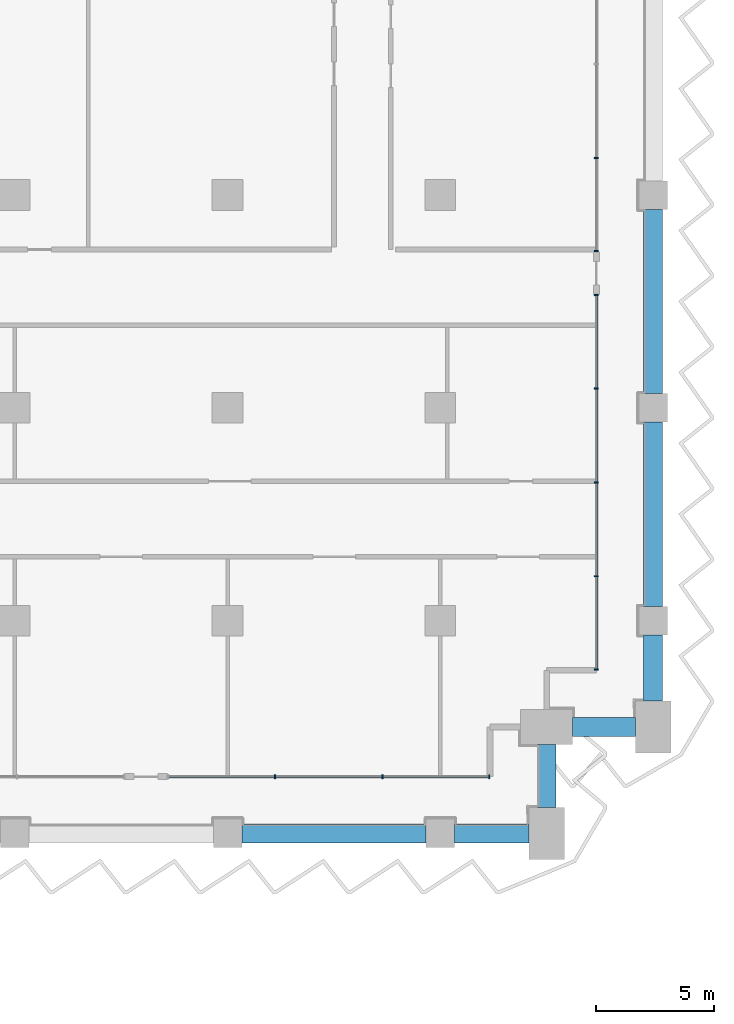
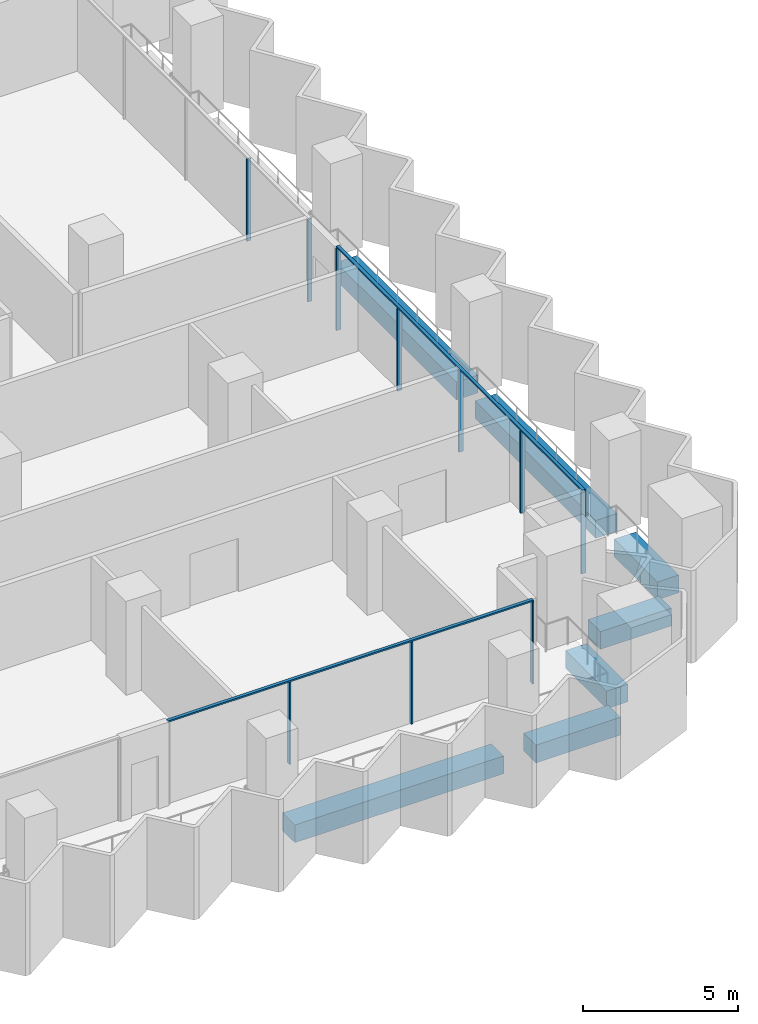
# One storey, part 5 of 23: 12 members, 7 beams, 3 elements without a shape of their own.
"""IFC4 building model written with IfcOpenShell, lengths in metres."""

from ifc_helpers import new_model, si_unit, direction, frame, origin, origin_2d, place, context, subcontext, project, spatial, rectangle, extrude, material, material_profile, profile_set, type_object, element, aggregate, save


model = new_model("IFC4")

# Units and contexts
model_context = context("Model", 3, precision=1e-05, world=origin(), true_north=direction((0.0, 1.0)))
body_context = subcontext(model_context, "Body", "Model", "MODEL_VIEW")
ifc_project = project(units=[si_unit("LENGTHUNIT", "METRE"), si_unit("AREAUNIT", "SQUARE_METRE"), si_unit("VOLUMEUNIT", "CUBIC_METRE"), si_unit("PLANEANGLEUNIT", "RADIAN"), si_unit("MASSUNIT", "GRAM", prefix="KILO")], contexts=[model_context])

# Site, building, storey
site_placement = place(None, origin())
site = spatial("IfcSite", under=ifc_project, at=site_placement, CompositionType="ELEMENT")
building_placement = place(site_placement, origin())
building = spatial("IfcBuilding", under=site, at=building_placement, Name="Hunhe Ridgeline Campus", CompositionType="ELEMENT")
storey_placement = place(building_placement, frame((0.0, 0.0, 99.60009765625)))
storey = spatial("IfcBuildingStorey", under=building, at=storey_placement, Name="L24", CompositionType="ELEMENT", Elevation=99.60009765625)

# Curtain wall, members
ifc_material_1 = material(Name="Aluminium 6063", Category="aluminium")
curtain_wall_type = type_object("IfcCurtainWallType", Name="Curtain wall CW-1", PredefinedType="NOTDEFINED", material=ifc_material_1)
curtain_wall_1_placement = place(storey_placement, origin())
curtain_wall_1 = element("IfcCurtainWall", 1, at=curtain_wall_1_placement, inside=storey, type_object=curtain_wall_type, Name="Curtain wall 13", PredefinedType="NOTDEFINED")
ifc_material_profile_1 = material_profile(ifc_material_1, rectangle(XDim=0.159912109375, YDim=0.06005859375, at=origin_2d()))
ifc_profile_set_1 = profile_set([ifc_material_profile_1], Name="Aluminium 6063")
member_type_1 = type_object("IfcMemberType", Name="CW-1 aluminium mullion", PredefinedType="MULLION", material=ifc_profile_set_1)
member_1_placement = place(storey_placement, frame((64.999267578125, 56.40087890625, 0.0), z_axis=(0.0, 0.0, 1.0), x_axis=(-1.4652e-07, 1.0, 0.0)))
member_1 = element("IfcMember", 2, at=member_1_placement, type_object=member_type_1, Name="CW-1 mullion 2", PredefinedType="MULLION", context=body_context, shape_type="SweptSolid", body=[
    extrude(rectangle(XDim=0.159912109375, YDim=0.06005859375, at=origin_2d()), origin(), (0.0, 0.0, 1.0), 3.239990234375),
])
member_2_placement = place(storey_placement, frame((69.549072265625, 56.40087890625, 0.0), z_axis=(0.0, 0.0, 1.0), x_axis=(-1.4652e-07, 1.0, 0.0)))
member_2 = element("IfcMember", 3, at=member_2_placement, type_object=member_type_1, Name="CW-1 mullion 3", PredefinedType="MULLION", context=body_context, shape_type="SweptSolid", body=[
    extrude(rectangle(XDim=0.159912109375, YDim=0.06005859375, at=origin_2d()), origin(), (0.0, 0.0, 1.0), 3.239990234375),
])
member_3_placement = place(storey_placement, frame((74.069091796875, 56.40087890625, 0.0), z_axis=(0.0, 0.0, 1.0), x_axis=(-1.4652e-07, 1.0, 0.0)))
member_3 = element("IfcMember", 4, at=member_3_placement, type_object=member_type_1, Name="CW-1 mullion 4", PredefinedType="MULLION", context=body_context, shape_type="SweptSolid", body=[
    extrude(rectangle(XDim=0.159912109375, YDim=0.06005859375, at=origin_2d()), origin(), (0.0, 0.0, 1.0), 3.239990234375),
])

curtain_wall_2_placement = place(storey_placement, origin())
curtain_wall_2 = element("IfcCurtainWall", 5, at=curtain_wall_2_placement, inside=storey, type_object=curtain_wall_type, Name="Curtain wall 14", PredefinedType="NOTDEFINED")
member_4_placement = place(storey_placement, frame((78.59912109375, 60.930908203125, 0.0), z_axis=(0.0, 0.0, 1.0), x_axis=(-1.0, 0.0, 0.0)))
member_4 = element("IfcMember", 6, at=member_4_placement, type_object=member_type_1, Name="CW-1 mullion 1", PredefinedType="MULLION", context=body_context, shape_type="SweptSolid", body=[
    extrude(rectangle(XDim=0.159912109375, YDim=0.06005859375, at=origin_2d()), origin(), (0.0, 0.0, 1.0), 3.239990234375),
])
member_5_placement = place(storey_placement, frame((78.59912109375, 64.8759765625, 0.0), z_axis=(0.0, 0.0, 1.0), x_axis=(-1.0, 0.0, 0.0)))
member_5 = element("IfcMember", 7, at=member_5_placement, type_object=member_type_1, Name="CW-1 mullion 2", PredefinedType="MULLION", context=body_context, shape_type="SweptSolid", body=[
    extrude(rectangle(XDim=0.159912109375, YDim=0.06005859375, at=origin_2d()), origin(), (0.0, 0.0, 1.0), 3.239990234375),
])
member_6_placement = place(storey_placement, frame((78.59912109375, 68.850830078125, 0.0), z_axis=(0.0, 0.0, 1.0), x_axis=(-1.0, 0.0, 0.0)))
member_6 = element("IfcMember", 8, at=member_6_placement, type_object=member_type_1, Name="CW-1 mullion 3", PredefinedType="MULLION", context=body_context, shape_type="SweptSolid", body=[
    extrude(rectangle(XDim=0.159912109375, YDim=0.06005859375, at=origin_2d()), origin(), (0.0, 0.0, 1.0), 3.239990234375),
])
member_7_placement = place(storey_placement, frame((78.59912109375, 72.82568359375, 0.0), z_axis=(0.0, 0.0, 1.0), x_axis=(-1.0, 0.0, 0.0)))
member_7 = element("IfcMember", 9, at=member_7_placement, type_object=member_type_1, Name="CW-1 mullion 4", PredefinedType="MULLION", context=body_context, shape_type="SweptSolid", body=[
    extrude(rectangle(XDim=0.159912109375, YDim=0.06005859375, at=origin_2d()), origin(), (0.0, 0.0, 1.0), 3.239990234375),
])
member_8_placement = place(storey_placement, frame((78.59912109375, 76.7705078125, 0.0), z_axis=(0.0, 0.0, 1.0), x_axis=(-1.0, 0.0, 0.0)))
member_8 = element("IfcMember", 10, at=member_8_placement, type_object=member_type_1, Name="CW-1 mullion 5", PredefinedType="MULLION", context=body_context, shape_type="SweptSolid", body=[
    extrude(rectangle(XDim=0.159912109375, YDim=0.06005859375, at=origin_2d()), origin(), (0.0, 0.0, 1.0), 3.239990234375),
])

curtain_wall_3_placement = place(storey_placement, origin())
curtain_wall_3 = element("IfcCurtainWall", 11, at=curtain_wall_3_placement, inside=storey, type_object=curtain_wall_type, Name="Curtain wall 15", PredefinedType="NOTDEFINED")
member_9_placement = place(storey_placement, frame((78.59912109375, 78.630615234375, 0.0), z_axis=(0.0, 0.0, 1.0), x_axis=(-1.0, 0.0, 0.0)))
member_9 = element("IfcMember", 12, at=member_9_placement, type_object=member_type_1, Name="CW-1 mullion 1", PredefinedType="MULLION", context=body_context, shape_type="SweptSolid", body=[
    extrude(rectangle(XDim=0.159912109375, YDim=0.06005859375, at=origin_2d()), origin(), (0.0, 0.0, 1.0), 3.239990234375),
])
member_10_placement = place(storey_placement, frame((78.59912109375, 82.575439453125, 0.0), z_axis=(0.0, 0.0, 1.0), x_axis=(-1.0, 0.0, 0.0)))
member_10 = element("IfcMember", 13, at=member_10_placement, type_object=member_type_1, Name="CW-1 mullion 2", PredefinedType="MULLION", context=body_context, shape_type="SweptSolid", body=[
    extrude(rectangle(XDim=0.159912109375, YDim=0.06005859375, at=origin_2d()), origin(), (0.0, 0.0, 1.0), 3.239990234375),
])
aggregate(curtain_wall_3, [member_9, member_10])

# Member
ifc_material_profile_2 = material_profile(ifc_material_1, rectangle(XDim=0.1201171875, YDim=0.06005859375, at=origin_2d()))
ifc_profile_set_2 = profile_set([ifc_material_profile_2], Name="Aluminium 6063")
member_type_2 = type_object("IfcMemberType", Name="CW-1 aluminium transom", PredefinedType="USERDEFINED", material=ifc_profile_set_2)
member_11_placement = place(storey_placement, frame((60.449462890625, 56.40087890625, 3.27001953125), z_axis=(1.0, 0.0, 0.0), x_axis=(0.0, 1.0, 0.0)))
member_11 = element("IfcMember", 14, at=member_11_placement, type_object=member_type_2, Name="CW-1 transom 1", ObjectType="TRANSOM", PredefinedType="USERDEFINED", context=body_context, shape_type="SweptSolid", body=[
    extrude(rectangle(XDim=0.1201171875, YDim=0.06005859375, at=origin_2d()), origin(), (0.0, 0.0, 1.0), 13.649658203125),
])

aggregate(curtain_wall_1, [member_11, member_1, member_2, member_3])

member_12_placement = place(storey_placement, frame((78.59912109375, 60.90087890625, 3.27001953125), z_axis=(0.0, 1.0, 0.0), x_axis=(-1.0, 0.0, 0.0)))
member_12 = element("IfcMember", 15, at=member_12_placement, type_object=member_type_2, Name="CW-1 transom 1", ObjectType="TRANSOM", PredefinedType="USERDEFINED", context=body_context, shape_type="SweptSolid", body=[
    extrude(rectangle(XDim=0.1201171875, YDim=0.06005859375, at=origin_2d()), origin(), (0.0, 0.0, 1.0), 15.899658203125),
])

aggregate(curtain_wall_2, [member_12, member_4, member_5, member_6, member_7, member_8])

# Beams
ifc_material_2 = material(Name="Concrete C60", Category="concrete")
ifc_material_profile_3 = material_profile(ifc_material_2, rectangle(XDim=0.800048828125, YDim=0.699951171875, at=origin_2d()))
ifc_profile_set_3 = profile_set([ifc_material_profile_3], Name="Concrete C60")
beam_type = type_object("IfcBeamType", Name="RC spandrel beam 800x700 Concrete C60", PredefinedType="SPANDREL", material=ifc_profile_set_3)
beam_1_placement = place(storey_placement, frame((63.60009765625, 54.0, -0.60009765625), z_axis=(1.0, 0.0, 0.0), x_axis=(0.0, 1.0, 0.0)))
element("IfcBeam", 16, at=beam_1_placement, inside=storey, type_object=beam_type, Name="Spandrel beam B1-14 L24", PredefinedType="SPANDREL", context=body_context, shape_type="SweptSolid", body=[
    extrude(rectangle(XDim=0.800048828125, YDim=0.699951171875, at=origin_2d()), origin(), (0.0, 0.0, 1.0), 7.7998046875),
])
beam_2_placement = place(storey_placement, frame((72.60009765625, 54.0, -0.60009765625), z_axis=(1.0, 0.0, 0.0), x_axis=(0.0, 1.0, 0.0)))
element("IfcBeam", 17, at=beam_2_placement, inside=storey, type_object=beam_type, Name="Spandrel beam B1-15 L24", PredefinedType="SPANDREL", context=body_context, shape_type="SweptSolid", body=[
    extrude(rectangle(XDim=0.800048828125, YDim=0.699951171875, at=origin_2d()), origin(), (0.0, 0.0, 1.0), 3.14990234375),
])
for number, where, z_axis, x_axis, name in (
    (18, (76.5, 55.10009765625, -0.60009765625), (0.0, 1.0, 0.0), (-1.0, 0.0, 0.0), "Spandrel beam B1-16 L24"),
    (19, (77.60009765625, 58.5, -0.60009765625), (1.0, 0.0, 0.0), (0.0, 1.0, 0.0), "Spandrel beam B1-17 L24"),
):
    element("IfcBeam", number, at=place(storey_placement, frame(where, z_axis=z_axis, x_axis=x_axis)), inside=storey, type_object=beam_type, Name=name, PredefinedType="SPANDREL", context=body_context, shape_type="SweptSolid", body=[
        extrude(rectangle(XDim=0.800048828125, YDim=0.699951171875, at=origin_2d()), origin(), (0.0, 0.0, 1.0), 2.64990234375),
    ])
beam_3_placement = place(storey_placement, frame((81.0, 59.60009765625, -0.60009765625), z_axis=(0.0, 1.0, 0.0), x_axis=(-1.0, 0.0, 0.0)))
element("IfcBeam", 20, at=beam_3_placement, inside=storey, type_object=beam_type, Name="Spandrel beam B1-18 L24", PredefinedType="SPANDREL", context=body_context, shape_type="SweptSolid", body=[
    extrude(rectangle(XDim=0.800048828125, YDim=0.699951171875, at=origin_2d()), origin(), (0.0, 0.0, 1.0), 2.7998046875),
])
for number, where, z_axis, x_axis, name in (
    (21, (81.0, 63.60009765625, -0.60009765625), (0.0, 1.0, 0.0), (-1.0, 0.0, 0.0), "Spandrel beam B1-19 L24"),
    (22, (81.0, 72.60009765625, -0.60009765625), (0.0, 1.0, 0.0), (-1.0, 0.0, 0.0), "Spandrel beam B1-20 L24"),
):
    element("IfcBeam", number, at=place(storey_placement, frame(where, z_axis=z_axis, x_axis=x_axis)), inside=storey, type_object=beam_type, Name=name, PredefinedType="SPANDREL", context=body_context, shape_type="SweptSolid", body=[
        extrude(rectangle(XDim=0.800048828125, YDim=0.699951171875, at=origin_2d()), origin(), (0.0, 0.0, 1.0), 7.7998046875),
    ])

save(model, "model.ifc")
